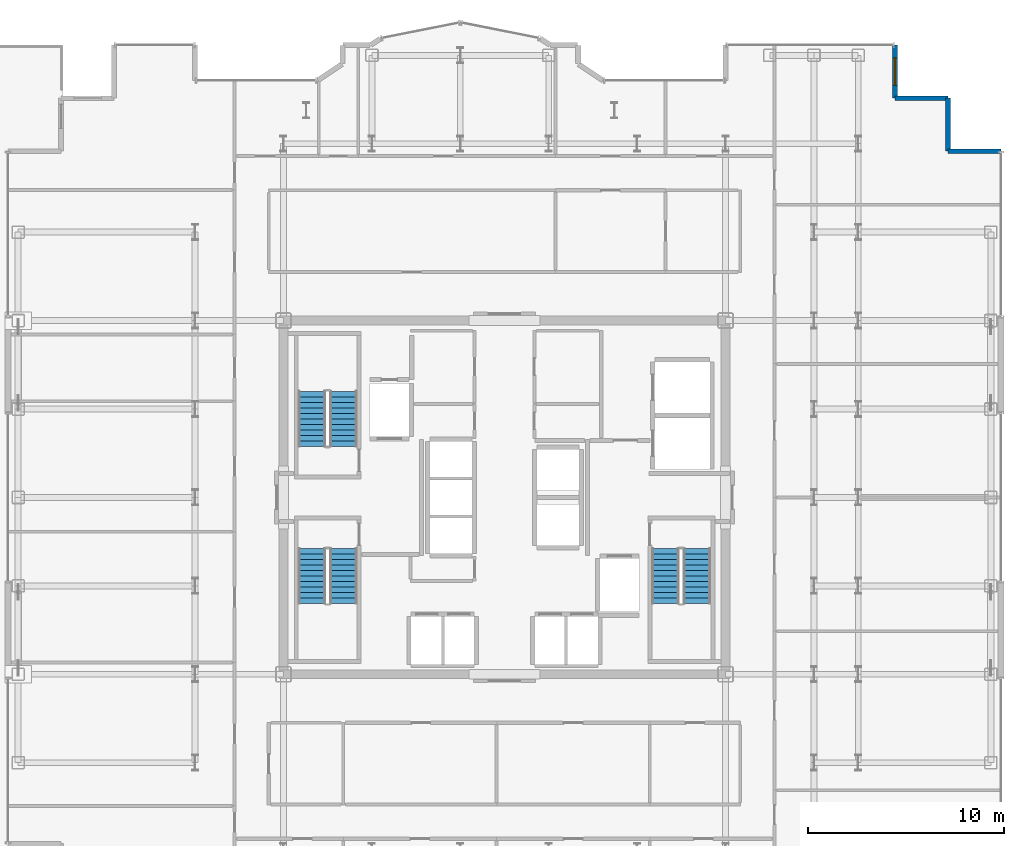
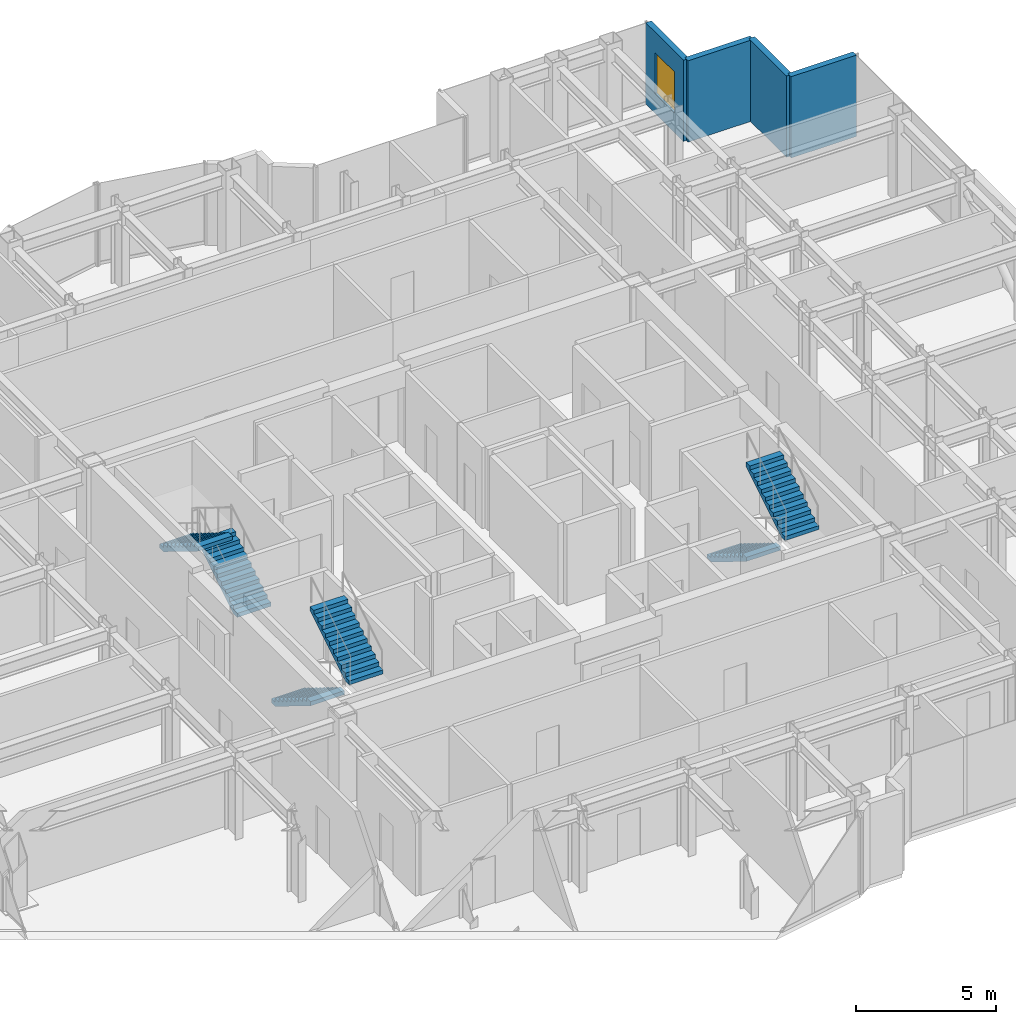
# One storey, part 19 of 21: 6 stair flights, 4 walls, 1 window, 1 opening, 3 elements without a shape of their own.
"""IFC4 building model written with IfcOpenShell, lengths in metres."""

from ifc_helpers import new_model, si_unit, direction, frame, frame_2d, origin, place, context, subcontext, project, spatial, polyline, rectangle, outline, extrude, source, transform, mapped, material, layer, layer_set, type_object, element, fill, aggregate, save


model = new_model("IFC4")

# Units and contexts
model_context = context("Model", 3, precision=1e-05, world=origin(), true_north=direction((0.0, 1.0)))
body_context = subcontext(model_context, "Body", "Model", "MODEL_VIEW")
ifc_project = project(units=[si_unit("LENGTHUNIT", "METRE"), si_unit("AREAUNIT", "SQUARE_METRE"), si_unit("VOLUMEUNIT", "CUBIC_METRE"), si_unit("PLANEANGLEUNIT", "RADIAN"), si_unit("MASSUNIT", "GRAM", prefix="KILO")], contexts=[model_context])

# Site, building, storey
site_placement = place(None, origin())
site = spatial("IfcSite", under=ifc_project, at=site_placement, CompositionType="ELEMENT")
building_placement = place(site_placement, origin())
building = spatial("IfcBuilding", under=site, at=building_placement, Name="Nefas-Gora Pilgrimage Tower", CompositionType="ELEMENT")
storey_placement = place(building_placement, frame((0.0, 0.0, 206.60009765625)))
storey = spatial("IfcBuildingStorey", under=building, at=storey_placement, Name="L51", CompositionType="ELEMENT", Elevation=206.60009765625)

# Walls
ifc_material_1 = material(Name="Precast concrete C45/55", Category="concrete")
ifc_layer = layer(ifc_material_1, 0.239990234375)
ifc_layer_set = layer_set([ifc_layer], Name="Precast concrete C45/55")
wall_type = type_object("IfcWallType", Name="EW-SERR-240", PredefinedType="SHEAR", material=ifc_layer_set)
shared_shape_1 = source(origin(), body_context, "Body", "SweptSolid", [
    extrude(rectangle(XDim=2.699951171875, YDim=0.239990234375, at=frame_2d((1.35009765625, 0.0))), origin(), (0.0, 0.0, 1.0), 3.5498046875),
])
for number, where, z_axis, x_axis, name in (
    (1, (25.27001953125, 17.6201171875, 0.0), (0.0, 0.0, 1.0), (-1.0, 0.0, 0.0), "L51 Serrated Corner Shear Pier Wall 10"),
    (2, (22.570068359375, 17.6201171875, 0.0), (0.0, 0.0, 1.0), (0.0, 1.0, 0.0), "L51 Serrated Corner Shear Pier Wall 11"),
    (3, (22.570068359375, 20.320068359375, 0.0), (0.0, 0.0, 1.0), (-1.0, 0.0, 0.0), "L51 Serrated Corner Shear Pier Wall 12"),
):
    element("IfcWall", number, at=place(storey_placement, frame(where, z_axis=z_axis, x_axis=x_axis)), inside=storey, type_object=wall_type, Name=name, PredefinedType="SHEAR", context=body_context, shape_type="MappedRepresentation", body=[
        mapped(shared_shape_1, transform((0.0, 0.0, 0.0), x_axis=(1.0, 0.0, 0.0), y_axis=(0.0, 1.0, 0.0), z_axis=(0.0, 0.0, 1.0), scale=1.0)),
    ])

# Wall, opening, window
wall_placement = place(storey_placement, frame((19.8701171875, 20.320068359375, 0.0), z_axis=(0.0, 0.0, 1.0), x_axis=(0.0, 1.0, 0.0)))
wall = element("IfcWall", 4, at=wall_placement, inside=storey, type_object=wall_type, Name="L51 Serrated Corner Shear Pier Wall 13", PredefinedType="SHEAR", context=body_context, shape_type="MappedRepresentation", body=[
    mapped(shared_shape_1, transform((0.0, 0.0, 0.0), x_axis=(1.0, 0.0, 0.0), y_axis=(0.0, 1.0, 0.0), z_axis=(0.0, 0.0, 1.0), scale=1.0)),
])
opening_placement = place(wall_placement, frame((0.64990234375, 0.0, 0.85009765625)))
opening = element("IfcOpeningElement", 5, at=opening_placement, cuts=wall, Name="Opening W-V2", PredefinedType="OPENING", context=body_context, shape_type="SweptSolid", body=[
    extrude(rectangle(XDim=1.39990234375, YDim=1.800048828125, at=frame_2d((0.699951171875, 0.89990234375))), frame((0.0, 0.1298828125, 0.0), z_axis=(0.0, -1.0, 0.0), x_axis=(1.0, 0.0, 0.0)), (0.0, 0.0, 1.0), 0.260009765625),
])
ifc_material_2 = material(Name="Dark ceramic-fritted operable aluminium-glass window", Category="aluminium")
window_type = type_object("IfcWindowType", Name="WIN-VENT-1400x1800", PartitioningType="SINGLE_PANEL", PredefinedType="WINDOW", material=ifc_material_2)
shared_shape_2 = source(origin(), body_context, "Body", "SweptSolid", [
    extrude(rectangle(XDim=1.39990234375, YDim=1.800048828125, at=frame_2d((0.699951171875, 0.89990234375))), frame((0.0, 0.030029296875, 0.0), z_axis=(0.0, -1.0, 0.0), x_axis=(1.0, 0.0, 0.0)), (0.0, 0.0, 1.0), 0.06005859375),
])
window_placement = place(opening_placement, origin())
window = element("IfcWindow", 6, at=window_placement, inside=storey, type_object=window_type, Name="L51 Operable Parallel-Outswing Window 13", OverallHeight=1.800048828125, OverallWidth=1.39990234375, PartitioningType="SINGLE_PANEL", PredefinedType="WINDOW", context=body_context, shape_type="MappedRepresentation", body=[
    mapped(shared_shape_2, transform((0.0, 0.0, 0.0), x_axis=(1.0, 0.0, 0.0), y_axis=(0.0, 1.0, 0.0), z_axis=(0.0, 0.0, 1.0), scale=1.0)),
])
fill(opening, window)

# Stair, stair flights
ifc_material_3 = material(Name="Concrete C45/55", Category="concrete")
stair_type = type_object("IfcStairType", Name="STR-1400-R1727", PredefinedType="HALF_TURN_STAIR", material=ifc_material_3)
stair_1_placement = place(storey_placement, origin())
stair_1 = element("IfcStair", 7, at=stair_1_placement, inside=storey, type_object=stair_type, Name="L51 Pressurised Tower Exit Stair ST-01", PredefinedType="HALF_TURN_STAIR")
stair_flight_type = type_object("IfcStairFlightType", Name="STF-1400-R1727", PredefinedType="STRAIGHT", material=ifc_material_3)
shared_shape_3 = source(origin(), body_context, "Body", "SweptSolid", [
    extrude(outline(polyline([(0.0, 0.0), (0.0, 0.172607421875), (0.280029296875, 0.172607421875), (0.280029296875, 0.345458984375), (0.56005859375, 0.345458984375), (0.56005859375, 0.51806640625), (0.840087890625, 0.51806640625), (0.840087890625, 0.69091796875), (1.1201171875, 0.69091796875), (1.1201171875, 0.863525390625), (1.39990234375, 0.863525390625), (1.39990234375, 1.036376953125), (1.679931640625, 1.036376953125), (1.679931640625, 1.208984375), (1.9599609375, 1.208984375), (1.9599609375, 1.3818359375), (2.239990234375, 1.3818359375), (2.239990234375, 1.554443359375), (2.52001953125, 1.554443359375), (2.52001953125, 1.727294921875), (2.800048828125, 1.727294921875), (2.800048828125, 1.89990234375), (2.800048828125, 1.551025390625), (0.285400390625, 0.0), (0.0, 0.0)])), frame((0.0, 0.699951171875, 0.0), z_axis=(0.0, -1.0, 0.0), x_axis=(1.0, 0.0, 0.0)), (0.0, 0.0, 1.0), 1.39990234375),
])
stair_flight_1_placement = place(storey_placement, frame((-8.199951171875, 2.60009765625, 0.0), z_axis=(0.0, 0.0, 1.0), x_axis=(0.0, 1.0, 0.0)))
stair_flight_1 = element("IfcStairFlight", 8, at=stair_flight_1_placement, type_object=stair_flight_type, Name="ST-01 flight 1", NumberOfRisers=11, NumberOfTreads=10, PredefinedType="STRAIGHT", RiserHeight=0.172727273, TreadLength=0.28, context=body_context, shape_type="MappedRepresentation", body=[
    mapped(shared_shape_3, transform((0.0, 0.0, 0.0), x_axis=(1.0, 0.0, 0.0), y_axis=(0.0, 1.0, 0.0), z_axis=(0.0, 0.0, 1.0), scale=1.0)),
])
stair_flight_2_placement = place(storey_placement, frame((-9.800048828125, 5.39990234375, 1.89990234375), z_axis=(0.0, 0.0, 1.0), x_axis=(0.0, -1.0, 0.0)))
stair_flight_2 = element("IfcStairFlight", 9, at=stair_flight_2_placement, type_object=stair_flight_type, Name="ST-01 flight 2", NumberOfRisers=11, NumberOfTreads=10, PredefinedType="STRAIGHT", RiserHeight=0.172727273, TreadLength=0.28, context=body_context, shape_type="MappedRepresentation", body=[
    mapped(shared_shape_3, transform((0.0, 0.0, 0.0), x_axis=(1.0, 0.0, 0.0), y_axis=(0.0, 1.0, 0.0), z_axis=(0.0, 0.0, 1.0), scale=1.0)),
])
aggregate(stair_1, [stair_flight_1, stair_flight_2])

stair_2_placement = place(storey_placement, origin())
stair_2 = element("IfcStair", 10, at=stair_2_placement, inside=storey, type_object=stair_type, Name="L51 Pressurised Tower Exit Stair ST-02", PredefinedType="HALF_TURN_STAIR")
stair_flight_3_placement = place(storey_placement, frame((8.199951171875, -2.60009765625, 0.0), z_axis=(0.0, 0.0, 1.0), x_axis=(0.0, -1.0, 0.0)))
stair_flight_3 = element("IfcStairFlight", 11, at=stair_flight_3_placement, type_object=stair_flight_type, Name="ST-02 flight 1", NumberOfRisers=11, NumberOfTreads=10, PredefinedType="STRAIGHT", RiserHeight=0.172727273, TreadLength=0.28, context=body_context, shape_type="MappedRepresentation", body=[
    mapped(shared_shape_3, transform((0.0, 0.0, 0.0), x_axis=(1.0, 0.0, 0.0), y_axis=(0.0, 1.0, 0.0), z_axis=(0.0, 0.0, 1.0), scale=1.0)),
])
stair_flight_4_placement = place(storey_placement, frame((9.800048828125, -5.39990234375, 1.89990234375), z_axis=(0.0, 0.0, 1.0), x_axis=(0.0, 1.0, 0.0)))
stair_flight_4 = element("IfcStairFlight", 12, at=stair_flight_4_placement, type_object=stair_flight_type, Name="ST-02 flight 2", NumberOfRisers=11, NumberOfTreads=10, PredefinedType="STRAIGHT", RiserHeight=0.172727273, TreadLength=0.28, context=body_context, shape_type="MappedRepresentation", body=[
    mapped(shared_shape_3, transform((0.0, 0.0, 0.0), x_axis=(1.0, 0.0, 0.0), y_axis=(0.0, 1.0, 0.0), z_axis=(0.0, 0.0, 1.0), scale=1.0)),
])
aggregate(stair_2, [stair_flight_3, stair_flight_4])

stair_3_placement = place(storey_placement, origin())
stair_3 = element("IfcStair", 13, at=stair_3_placement, inside=storey, type_object=stair_type, Name="L51 Pressurised Tower Exit Stair ST-03", PredefinedType="HALF_TURN_STAIR")
stair_flight_5_placement = place(storey_placement, frame((-9.800048828125, -2.60009765625, 0.0), z_axis=(0.0, 0.0, 1.0), x_axis=(0.0, -1.0, 0.0)))
stair_flight_5 = element("IfcStairFlight", 14, at=stair_flight_5_placement, type_object=stair_flight_type, Name="ST-03 flight 1", NumberOfRisers=11, NumberOfTreads=10, PredefinedType="STRAIGHT", RiserHeight=0.172727273, TreadLength=0.28, context=body_context, shape_type="MappedRepresentation", body=[
    mapped(shared_shape_3, transform((0.0, 0.0, 0.0), x_axis=(1.0, 0.0, 0.0), y_axis=(0.0, 1.0, 0.0), z_axis=(0.0, 0.0, 1.0), scale=1.0)),
])
stair_flight_6_placement = place(storey_placement, frame((-8.199951171875, -5.39990234375, 1.89990234375), z_axis=(0.0, 0.0, 1.0), x_axis=(0.0, 1.0, 0.0)))
stair_flight_6 = element("IfcStairFlight", 15, at=stair_flight_6_placement, type_object=stair_flight_type, Name="ST-03 flight 2", NumberOfRisers=11, NumberOfTreads=10, PredefinedType="STRAIGHT", RiserHeight=0.172727273, TreadLength=0.28, context=body_context, shape_type="MappedRepresentation", body=[
    mapped(shared_shape_3, transform((0.0, 0.0, 0.0), x_axis=(1.0, 0.0, 0.0), y_axis=(0.0, 1.0, 0.0), z_axis=(0.0, 0.0, 1.0), scale=1.0)),
])
aggregate(stair_3, [stair_flight_5, stair_flight_6])

save(model, "model.ifc")
